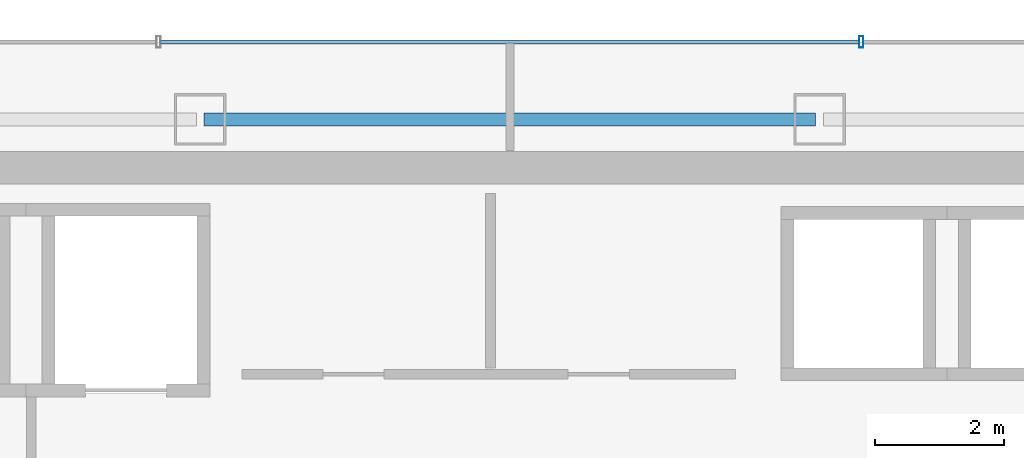
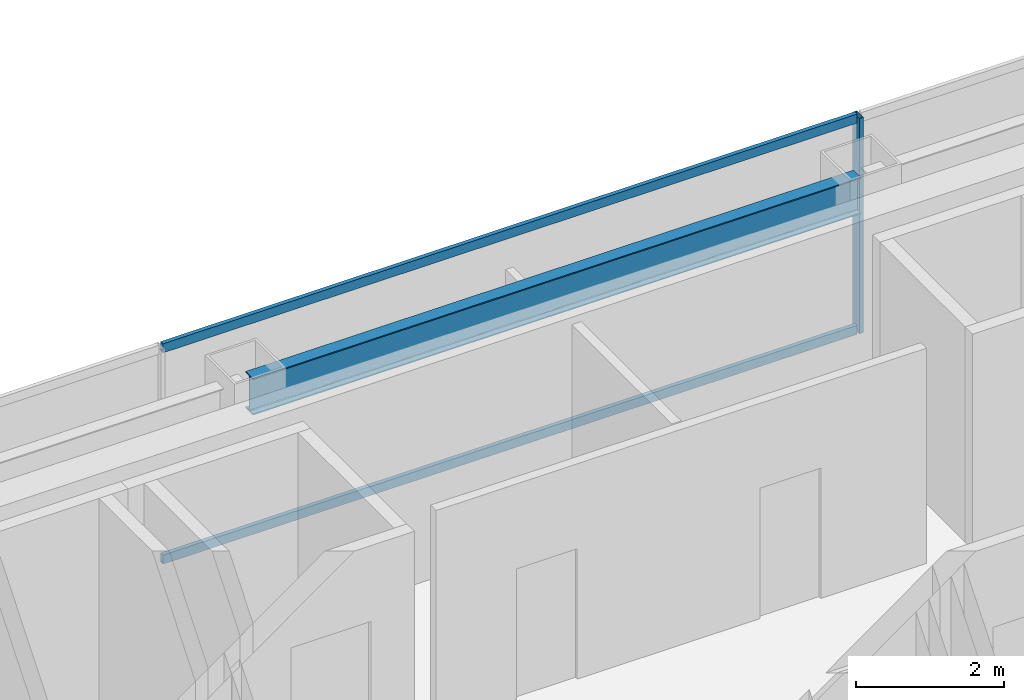
# One storey, part 25 of 35: 3 members, 1 beam, 1 element without a shape of its own.
"""IFC4 building model written with IfcOpenShell, lengths in metres."""

from ifc_helpers import new_model, si_unit, direction, frame, origin, origin_2d, place, context, subcontext, project, spatial, hollow_rectangle, i_section, extrude, material, material_profile, profile_set, type_object, element, aggregate, save


model = new_model("IFC4")

# Units and contexts
model_context = context("Model", 3, precision=1e-05, world=origin(), true_north=direction((0.0, 1.0)))
body_context = subcontext(model_context, "Body", "Model", "MODEL_VIEW")
ifc_project = project(units=[si_unit("LENGTHUNIT", "METRE"), si_unit("AREAUNIT", "SQUARE_METRE"), si_unit("VOLUMEUNIT", "CUBIC_METRE"), si_unit("PLANEANGLEUNIT", "RADIAN"), si_unit("MASSUNIT", "GRAM", prefix="KILO")], contexts=[model_context])

# Site, building, storey
site_placement = place(None, origin())
site = spatial("IfcSite", under=ifc_project, at=site_placement, CompositionType="ELEMENT")
building_placement = place(site_placement, origin())
building = spatial("IfcBuilding", under=site, at=building_placement, Name="Saevonmaru Cultural Tower", CompositionType="ELEMENT")
storey_placement = place(building_placement, frame((0.0, 0.0, 213.199951171875)))
storey = spatial("IfcBuildingStorey", under=building, at=storey_placement, Name="L49", CompositionType="ELEMENT", Elevation=213.199951171875)

# Beam
ifc_material_1 = material(Name="Steel SM355", Category="steel")
ifc_material_profile_1 = material_profile(ifc_material_1, i_section(OverallWidth=0.199951171875, OverallDepth=0.60009765625, WebThickness=0.010986328125, FlangeThickness=0.01708984375, FilletRadius=0.02197265625, at=origin_2d()), Name="H-600x200x11x17")
ifc_profile_set_1 = profile_set([ifc_material_profile_1], Name="Steel SM355")
beam_type = type_object("IfcBeamType", Name="BM-SP-H600", PredefinedType="SPANDREL", material=ifc_profile_set_1)
beam_placement = place(storey_placement, frame((25.260009765625, 54.800048828125, 3.25), z_axis=(1.0, 0.0, 0.0), x_axis=(0.0, 1.0, 0.0)))
element("IfcBeam", 1, at=beam_placement, inside=storey, type_object=beam_type, Name="L49 North Spine Girder 3", PredefinedType="SPANDREL", context=body_context, shape_type="SweptSolid", body=[
    extrude(i_section(OverallWidth=0.199951171875, OverallDepth=0.60009765625, WebThickness=0.010986328125, FlangeThickness=0.01708984375, FilletRadius=0.02197265625, at=origin_2d()), origin(), (0.0, 0.0, 1.0), 9.47998046875),
])

# Curtain wall, members
ifc_material_2 = material(Name="Satin Bronze Anodised Aluminium", Category="aluminium")
curtain_wall_type = type_object("IfcCurtainWallType", Name="CW-TYP-B", PredefinedType="NOTDEFINED", material=ifc_material_2)
curtain_wall_placement = place(storey_placement, origin())
curtain_wall = element("IfcCurtainWall", 2, at=curtain_wall_placement, inside=storey, type_object=curtain_wall_type, Name="L49 North Spine Unitised Curtain Wall E10B", PredefinedType="NOTDEFINED")
ifc_material_profile_2 = material_profile(ifc_material_2, hollow_rectangle(XDim=0.06494140625, YDim=0.179931640625, WallThickness=0.00390625, at=origin_2d()), Name="ALU-MULL-180x65x4")
ifc_profile_set_2 = profile_set([ifc_material_profile_2], Name="Satin Bronze Anodised Aluminium")
member_type_1 = type_object("IfcMemberType", Name="ML-CW-180x65", PredefinedType="MULLION", material=ifc_profile_set_2)
member_1_placement = place(storey_placement, frame((35.44677734375, 56.0, 0.0), z_axis=(0.0, 0.0, 1.0), x_axis=(-1.0, 0.0, 0.0)))
member_1 = element("IfcMember", 3, at=member_1_placement, type_object=member_type_1, Name="CW-TW-L49-E10B mullion 2", PredefinedType="MULLION", context=body_context, shape_type="SweptSolid", body=[
    extrude(hollow_rectangle(XDim=0.06494140625, YDim=0.179931640625, WallThickness=0.00390625, at=origin_2d()), origin(), (0.0, 0.0, 1.0), 3.550048828125),
])
ifc_material_profile_3 = material_profile(ifc_material_2, hollow_rectangle(XDim=0.06494140625, YDim=0.14990234375, WallThickness=0.00390625, at=origin_2d()), Name="ALU-TRAN-150x65x4")
ifc_profile_set_3 = profile_set([ifc_material_profile_3], Name="Satin Bronze Anodised Aluminium")
member_type_2 = type_object("IfcMemberType", Name="TR-CW-150x65", PredefinedType="USERDEFINED", material=ifc_profile_set_3)
member_2_placement = place(storey_placement, frame((35.4140625, 56.0, 0.032470703125), z_axis=(-1.0, 0.0, 0.0), x_axis=(0.0, -1.0, 0.0)))
member_2 = element("IfcMember", 4, at=member_2_placement, type_object=member_type_2, Name="CW-TW-L49-E10B transom 2.1", ObjectType="TRANSOM", PredefinedType="USERDEFINED", context=body_context, shape_type="SweptSolid", body=[
    extrude(hollow_rectangle(XDim=0.06494140625, YDim=0.14990234375, WallThickness=0.00390625, at=origin_2d()), origin(), (0.0, 0.0, 1.0), 10.828125),
])
member_3_placement = place(storey_placement, frame((35.4140625, 56.0, 3.517578125), z_axis=(-1.0, 0.0, 0.0), x_axis=(0.0, -1.0, 0.0)))
member_3 = element("IfcMember", 5, at=member_3_placement, type_object=member_type_2, Name="CW-TW-L49-E10B transom 2.2", ObjectType="TRANSOM", PredefinedType="USERDEFINED", context=body_context, shape_type="SweptSolid", body=[
    extrude(hollow_rectangle(XDim=0.06494140625, YDim=0.14990234375, WallThickness=0.00390625, at=origin_2d()), origin(), (0.0, 0.0, 1.0), 10.828125),
])
aggregate(curtain_wall, [member_1, member_2, member_3])

save(model, "model.ifc")
